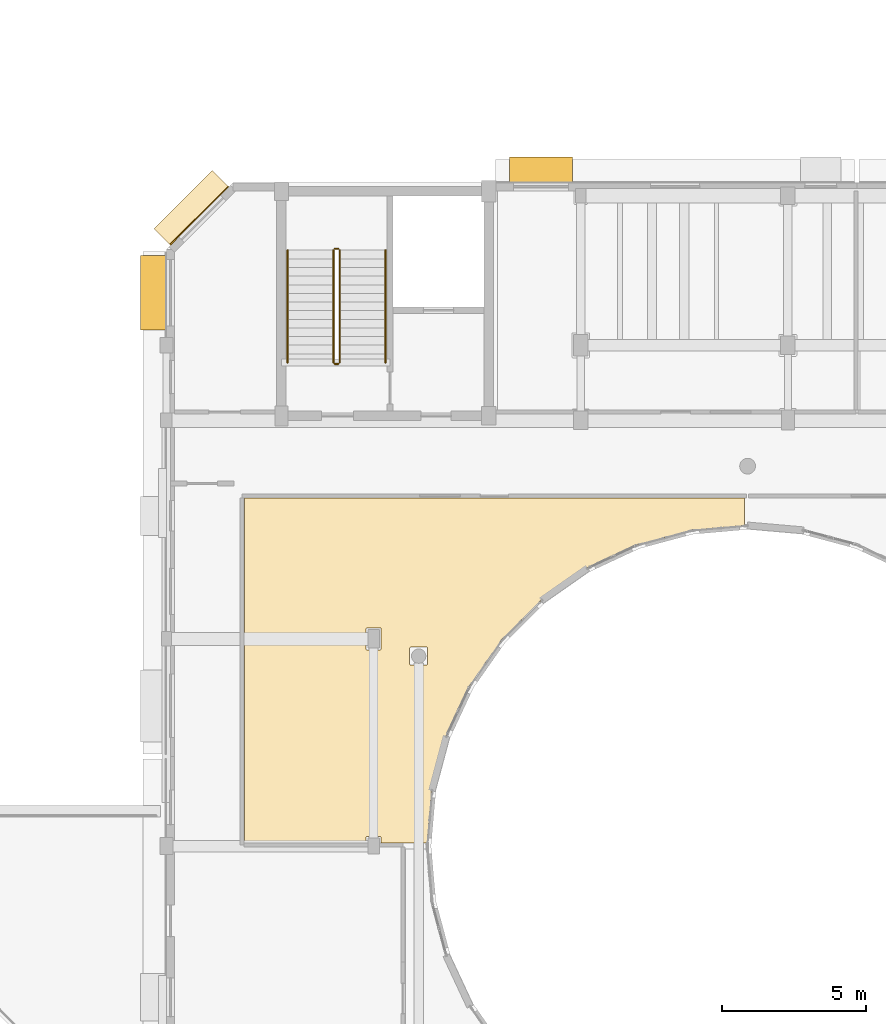
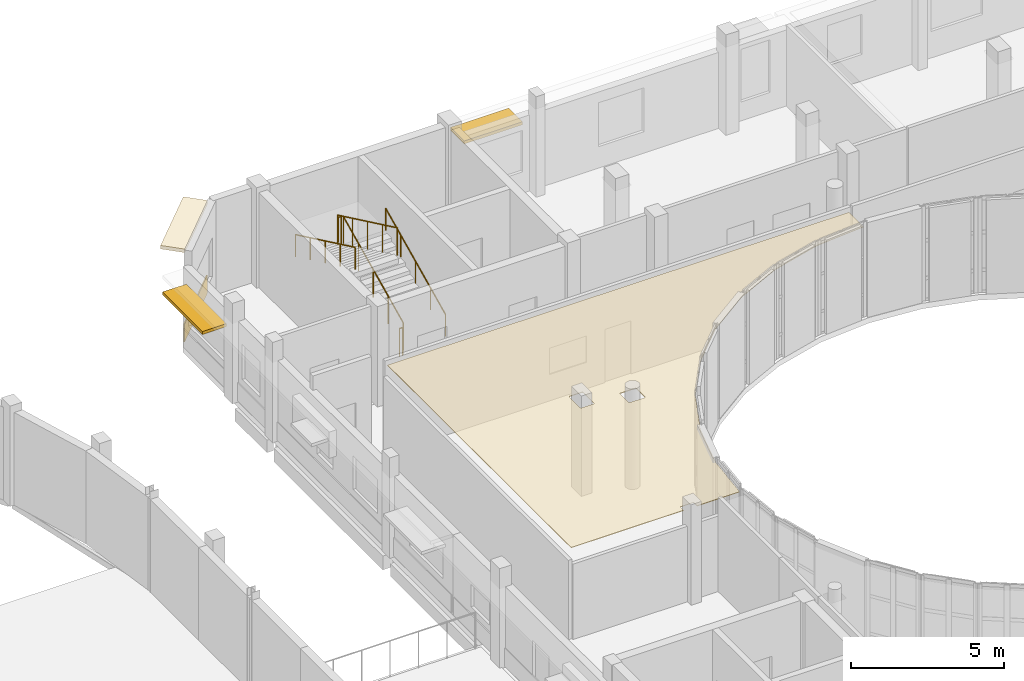
# One storey, part 78 of 89: 6 railings, 3 coverings, 2 shading devices.
"""IFC4 building model written with IfcOpenShell, lengths in metres."""

from ifc_helpers import new_model, si_unit, direction, frame, origin, origin_2d, place, context, subcontext, project, spatial, polyline, rectangle, circle, outline, extrude, material, layer, layer_set, type_object, element, save


model = new_model("IFC4")

# Units and contexts
model_context = context("Model", 3, precision=1e-05, world=origin(), true_north=direction((0.0, 1.0)))
body_context = subcontext(model_context, "Body", "Model", "MODEL_VIEW")
ifc_project = project(units=[si_unit("LENGTHUNIT", "METRE"), si_unit("AREAUNIT", "SQUARE_METRE"), si_unit("VOLUMEUNIT", "CUBIC_METRE"), si_unit("PLANEANGLEUNIT", "RADIAN"), si_unit("MASSUNIT", "GRAM", prefix="KILO")], contexts=[model_context])

# Site, building, storey
site_placement = place(None, origin())
site = spatial("IfcSite", under=ifc_project, at=site_placement, CompositionType="ELEMENT")
building_placement = place(site_placement, origin())
building = spatial("IfcBuilding", under=site, at=building_placement, Name="Kelanivale Promenade Academy", CompositionType="ELEMENT")
storey_placement = place(building_placement, frame((0.0, 0.0, 12.199951171875)))
storey = spatial("IfcBuildingStorey", under=building, at=storey_placement, Name="L03", CompositionType="ELEMENT", Elevation=12.199951171875)

# Coverings
ifc_material_1 = material(Name="Warm ivory Art Deco stucco frieze band 40 mm", Category="masonry")
ifc_layer_1 = layer(ifc_material_1, 0.0400390625)
ifc_layer_set_1 = layer_set([ifc_layer_1], Name="Warm ivory Art Deco stucco frieze band 40 mm")
covering_type_1 = type_object("IfcCoveringType", Name="COV-CLD2 Warm ivory Art Deco stucco frieze ba", PredefinedType="CLADDING", material=ifc_layer_set_1)
covering_1_placement = place(storey_placement, frame((44.072021484375, 78.97802734375, 3.6201171875), z_axis=(0.0, 0.0, 1.0), x_axis=(-0.707106781187, -0.707106781187, 0.0)))
element("IfcCovering", 1, at=covering_1_placement, inside=storey, type_object=covering_type_1, Name="Art Deco projecting 820 mm streamline sunshade eyebrow ledge", PredefinedType="CLADDING", context=body_context, shape_type="SweptSolid", body=[
    extrude(rectangle(XDim=2.865966796875, YDim=0.820068359375, at=origin_2d()), origin(), (0.0, 0.0, 1.0), 0.139892578125),
])
covering_2_placement = place(storey_placement, frame((44.343994140625, 78.7060546875, 0.06005859375), z_axis=(0.0, 0.0, 1.0), x_axis=(-0.707106781187, -0.707106781187, 0.0)))
element("IfcCovering", 2, at=covering_2_placement, inside=storey, type_object=covering_type_1, Name="Art Deco ivory stucco sill frieze band", PredefinedType="CLADDING", context=body_context, shape_type="SweptSolid", body=[
    extrude(rectangle(XDim=2.865966796875, YDim=0.0400390625, at=origin_2d()), origin(), (0.0, 0.0, 1.0), 0.719970703125),
])
ifc_material_2 = material(Name="Acoustic mineral-fibre ceiling tile 25 mm", Category="gypsum")
ifc_layer_2 = layer(ifc_material_2, 0.02490234375)
ifc_layer_set_2 = layer_set([ifc_layer_2], Name="Acoustic mineral-fibre ceiling tile 25 mm")
covering_type_2 = type_object("IfcCoveringType", Name="COV-CLG1 Acoustic mineral-fibre ceiling tile ", PredefinedType="CEILING", material=ifc_layer_set_2)
covering_3_placement = place(storey_placement, frame((0.0, 0.0, 3.550048828125)))
element("IfcCovering", 3, at=covering_3_placement, inside=storey, type_object=covering_type_2, Name="Secondary Classroom West B acoustic suspended ceiling", PredefinedType="CEILING", context=body_context, shape_type="SweptSolid", body=[
    extrude(outline(polyline([(61.455078125, 67.779052734375), (61.4619140625, 67.780029296875), (61.469970703125, 67.781982421875), (61.47998046875, 67.782958984375), (61.48095703125, 67.782958984375), (63.2900390625, 67.94091796875), (63.2900390625, 68.889892578125), (45.909912109375, 68.889892578125), (45.909912109375, 56.909912109375), (50.139892578125, 56.909912109375), (50.139892578125, 57.094970703125), (50.139892578125, 57.09912109375), (50.14111328125, 57.10302734375), (50.14208984375, 57.10693359375), (50.14306640625, 57.110107421875), (50.14501953125, 57.114013671875), (50.14697265625, 57.116943359375), (50.14892578125, 57.1201171875), (50.152099609375, 57.123046875), (50.155029296875, 57.1259765625), (50.157958984375, 57.1279296875), (50.160888671875, 57.1298828125), (50.1650390625, 57.132080078125), (50.16796875, 57.133056640625), (50.172119140625, 57.134033203125), (50.176025390625, 57.135009765625), (50.179931640625, 57.135009765625), (50.6201171875, 57.135009765625), (50.6240234375, 57.135009765625), (50.6279296875, 57.134033203125), (50.632080078125, 57.133056640625), (50.635009765625, 57.132080078125), (50.638916015625, 57.1298828125), (50.64208984375, 57.1279296875), (50.64501953125, 57.1259765625), (50.64794921875, 57.123046875), (50.65087890625, 57.1201171875), (50.653076171875, 57.116943359375), (50.655029296875, 57.114013671875), (50.656982421875, 57.110107421875), (50.657958984375, 57.10693359375), (50.658935546875, 57.10302734375), (50.659912109375, 57.09912109375), (50.659912109375, 57.094970703125), (50.659912109375, 56.909912109375), (52.259033203125, 56.909912109375), (52.4169921875, 58.718994140625), (52.4169921875, 58.719970703125), (52.41796875, 58.72998046875), (52.419921875, 58.738037109375), (52.4208984375, 58.7451171875), (52.424072265625, 58.75390625), (52.9169921875, 60.596923828125), (52.9169921875, 60.59912109375), (52.919921875, 60.60888671875), (52.923095703125, 60.615966796875), (52.927001953125, 60.6259765625), (52.928955078125, 60.6298828125), (53.737060546875, 62.360107421875), (53.739013671875, 62.364990234375), (53.7490234375, 62.383056640625), (53.7529296875, 62.389892578125), (54.847900390625, 63.9541015625), (54.85400390625, 63.9609375), (54.861083984375, 63.968994140625), (54.867919921875, 63.97705078125), (54.87109375, 63.98095703125), (56.218994140625, 65.3291015625), (56.222900390625, 65.33203125), (56.23095703125, 65.339111328125), (56.239013671875, 65.345947265625), (56.24609375, 65.35205078125), (57.81005859375, 66.447021484375), (57.81689453125, 66.450927734375), (57.825927734375, 66.4560546875), (57.8349609375, 66.4609375), (57.840087890625, 66.462890625), (59.570068359375, 67.27099609375), (59.573974609375, 67.27294921875), (59.583984375, 67.277099609375), (59.591064453125, 67.280029296875), (59.60107421875, 67.282958984375), (59.60302734375, 67.282958984375), (61.446044921875, 67.77587890625), (61.455078125, 67.779052734375)]), holes=[polyline([(52.278076171875, 63.1298828125), (52.278076171875, 63.1259765625), (52.277099609375, 63.1220703125), (52.27587890625, 63.117919921875), (52.27490234375, 63.114990234375), (52.27294921875, 63.111083984375), (52.27099609375, 63.10791015625), (52.26904296875, 63.10498046875), (52.26611328125, 63.10205078125), (52.262939453125, 63.09912109375), (52.260009765625, 63.096923828125), (52.257080078125, 63.094970703125), (52.2529296875, 63.093017578125), (52.25, 63.092041015625), (52.24609375, 63.091064453125), (52.241943359375, 63.090087890625), (52.238037109375, 63.090087890625), (51.697998046875, 63.090087890625), (51.694091796875, 63.090087890625), (51.68994140625, 63.091064453125), (51.68603515625, 63.092041015625), (51.68310546875, 63.093017578125), (51.678955078125, 63.094970703125), (51.676025390625, 63.096923828125), (51.673095703125, 63.09912109375), (51.669921875, 63.10205078125), (51.6669921875, 63.10498046875), (51.6650390625, 63.10791015625), (51.6630859375, 63.111083984375), (51.660888671875, 63.114990234375), (51.659912109375, 63.117919921875), (51.658935546875, 63.1220703125), (51.657958984375, 63.1259765625), (51.657958984375, 63.1298828125), (51.657958984375, 63.669921875), (51.657958984375, 63.674072265625), (51.658935546875, 63.677978515625), (51.659912109375, 63.681884765625), (51.660888671875, 63.68505859375), (51.6630859375, 63.68896484375), (51.6650390625, 63.69189453125), (51.6669921875, 63.695068359375), (51.669921875, 63.697998046875), (51.673095703125, 63.700927734375), (51.676025390625, 63.702880859375), (51.678955078125, 63.705078125), (51.68310546875, 63.70703125), (51.68603515625, 63.7080078125), (51.68994140625, 63.708984375), (51.694091796875, 63.7099609375), (51.697998046875, 63.7099609375), (52.238037109375, 63.7099609375), (52.241943359375, 63.7099609375), (52.24609375, 63.708984375), (52.25, 63.7080078125), (52.2529296875, 63.70703125), (52.257080078125, 63.705078125), (52.260009765625, 63.702880859375), (52.262939453125, 63.700927734375), (52.26611328125, 63.697998046875), (52.26904296875, 63.695068359375), (52.27099609375, 63.69189453125), (52.27294921875, 63.68896484375), (52.27490234375, 63.68505859375), (52.27587890625, 63.681884765625), (52.277099609375, 63.677978515625), (52.278076171875, 63.674072265625), (52.278076171875, 63.669921875), (52.278076171875, 63.1298828125)]), polyline([(50.6201171875, 64.385009765625), (50.6240234375, 64.385009765625), (50.6279296875, 64.384033203125), (50.632080078125, 64.383056640625), (50.635009765625, 64.382080078125), (50.638916015625, 64.3798828125), (50.64208984375, 64.3779296875), (50.64501953125, 64.3759765625), (50.64794921875, 64.373046875), (50.65087890625, 64.3701171875), (50.653076171875, 64.366943359375), (50.655029296875, 64.364013671875), (50.656982421875, 64.360107421875), (50.657958984375, 64.35693359375), (50.658935546875, 64.35302734375), (50.659912109375, 64.34912109375), (50.659912109375, 64.344970703125), (50.659912109375, 63.655029296875), (50.659912109375, 63.65087890625), (50.658935546875, 63.64697265625), (50.657958984375, 63.64306640625), (50.656982421875, 63.639892578125), (50.655029296875, 63.635986328125), (50.653076171875, 63.633056640625), (50.65087890625, 63.6298828125), (50.64794921875, 63.626953125), (50.64501953125, 63.6240234375), (50.64208984375, 63.6220703125), (50.638916015625, 63.6201171875), (50.635009765625, 63.617919921875), (50.632080078125, 63.616943359375), (50.6279296875, 63.615966796875), (50.6240234375, 63.614990234375), (50.6201171875, 63.614990234375), (50.179931640625, 63.614990234375), (50.176025390625, 63.614990234375), (50.172119140625, 63.615966796875), (50.16796875, 63.616943359375), (50.1650390625, 63.617919921875), (50.160888671875, 63.6201171875), (50.157958984375, 63.6220703125), (50.155029296875, 63.6240234375), (50.152099609375, 63.626953125), (50.14892578125, 63.6298828125), (50.14697265625, 63.633056640625), (50.14501953125, 63.635986328125), (50.14306640625, 63.639892578125), (50.14208984375, 63.64306640625), (50.14111328125, 63.64697265625), (50.139892578125, 63.65087890625), (50.139892578125, 63.655029296875), (50.139892578125, 64.344970703125), (50.139892578125, 64.34912109375), (50.14111328125, 64.35302734375), (50.14208984375, 64.35693359375), (50.14306640625, 64.360107421875), (50.14501953125, 64.364013671875), (50.14697265625, 64.366943359375), (50.14892578125, 64.3701171875), (50.152099609375, 64.373046875), (50.155029296875, 64.3759765625), (50.157958984375, 64.3779296875), (50.160888671875, 64.3798828125), (50.1650390625, 64.382080078125), (50.16796875, 64.383056640625), (50.172119140625, 64.384033203125), (50.176025390625, 64.385009765625), (50.179931640625, 64.385009765625), (50.6201171875, 64.385009765625)])]), origin(), (0.0, 0.0, 1.0), 0.02490234375),
])

# Railings
ifc_material_3 = material(Name="Brushed stainless steel grade 316", Category="steel")
railing_type_1 = type_object("IfcRailingType", Name="GR-01 Stair Guard 1100mm", PredefinedType="BALUSTRADE", material=ifc_material_3)
railing_1_placement = place(storey_placement, frame((49.22509765625, 73.60498046875, 0.142822265625)))
element("IfcRailing", 4, at=railing_1_placement, inside=storey, type_object=railing_type_1, Name="L03 ST-04 stair guard 1", PredefinedType="BALUSTRADE", context=body_context, shape_type="SweptSolid", body=[
    extrude(circle(Radius=0.02392578125, at=origin_2d()), frame((0.0, 0.0, 1.09619140625), z_axis=(0.0, 0.902853205547, 0.429948937937), x_axis=(-1.0, 0.0, 0.0)), (0.0, 0.0, 1.0), 4.319580078125),
    extrude(circle(Radius=0.02099609375, at=origin_2d()), origin(), (0.0, 0.0, 1.0), 1.072021484375),
    extrude(circle(Radius=0.02099609375, at=origin_2d()), frame((0.0, 0.97509765625, 0.46435546875)), (0.0, 0.0, 1.0), 1.072021484375),
    extrude(circle(Radius=0.02099609375, at=origin_2d()), frame((0.0, 1.949951171875, 0.9287109375)), (0.0, 0.0, 1.0), 1.072021484375),
    extrude(circle(Radius=0.02099609375, at=origin_2d()), frame((0.0, 2.9248046875, 1.392822265625)), (0.0, 0.0, 1.0), 1.072021484375),
    extrude(circle(Radius=0.02099609375, at=origin_2d()), frame((0.0, 3.89990234375, 1.857177734375)), (0.0, 0.0, 1.0), 1.072021484375),
])
railing_2_placement = place(storey_placement, frame((49.175048828125, 77.554931640625, 2.0)))
element("IfcRailing", 5, at=railing_2_placement, inside=storey, type_object=railing_type_1, Name="L03 ST-04 stair guard 2", PredefinedType="BALUSTRADE", context=body_context, shape_type="SweptSolid", body=[
    extrude(circle(Radius=0.02392578125, at=origin_2d()), frame((0.0, 0.0, 1.09619140625), z_axis=(-1.0, 0.0, 0.0), x_axis=(0.0, -1.0, 0.0)), (0.0, 0.0, 1.0), 0.1201171875),
    extrude(circle(Radius=0.02099609375, at=origin_2d()), origin(), (0.0, 0.0, 1.0), 1.072021484375),
    extrude(circle(Radius=0.02099609375, at=origin_2d()), frame((-0.1201171875, 0.0, 0.0)), (0.0, 0.0, 1.0), 1.072021484375),
])
railing_3_placement = place(storey_placement, frame((49.0048828125, 77.5048828125, 2.142822265625)))
element("IfcRailing", 6, at=railing_3_placement, inside=storey, type_object=railing_type_1, Name="L03 ST-04 stair guard 3", PredefinedType="BALUSTRADE", context=body_context, shape_type="SweptSolid", body=[
    extrude(circle(Radius=0.02392578125, at=origin_2d()), frame((0.0, 0.0, 1.09619140625), z_axis=(0.0, -0.902853205547, 0.429948937937), x_axis=(1.0, 0.0, 0.0)), (0.0, 0.0, 1.0), 4.319580078125),
    extrude(circle(Radius=0.02099609375, at=origin_2d()), origin(), (0.0, 0.0, 1.0), 1.072021484375),
    extrude(circle(Radius=0.02099609375, at=origin_2d()), frame((0.0, -0.97509765625, 0.46435546875)), (0.0, 0.0, 1.0), 1.072021484375),
    extrude(circle(Radius=0.02099609375, at=origin_2d()), frame((0.0, -1.949951171875, 0.9287109375)), (0.0, 0.0, 1.0), 1.072021484375),
    extrude(circle(Radius=0.02099609375, at=origin_2d()), frame((0.0, -2.9248046875, 1.392822265625)), (0.0, 0.0, 1.0), 1.072021484375),
    extrude(circle(Radius=0.02099609375, at=origin_2d()), frame((0.0, -3.89990234375, 1.857177734375)), (0.0, 0.0, 1.0), 1.072021484375),
])
railing_4_placement = place(storey_placement, frame((49.175048828125, 73.554931640625, 0.0)))
element("IfcRailing", 7, at=railing_4_placement, inside=storey, type_object=railing_type_1, Name="L03 ST-04 stair guard 4", PredefinedType="BALUSTRADE", context=body_context, shape_type="SweptSolid", body=[
    extrude(circle(Radius=0.02392578125, at=origin_2d()), frame((0.0, 0.0, 1.09619140625), z_axis=(-1.0, 0.0, 0.0), x_axis=(0.0, -1.0, 0.0)), (0.0, 0.0, 1.0), 0.1201171875),
    extrude(circle(Radius=0.02099609375, at=origin_2d()), origin(), (0.0, 0.0, 1.0), 1.072021484375),
    extrude(circle(Radius=0.02099609375, at=origin_2d()), frame((-0.1201171875, 0.0, 0.0)), (0.0, 0.0, 1.0), 1.072021484375),
])
railing_type_2 = type_object("IfcRailingType", Name="HR-01 Pitch Handrail 900mm", PredefinedType="HANDRAIL", material=ifc_material_3)
railing_5_placement = place(storey_placement, frame((50.81494140625, 73.60498046875, 0.142822265625)))
element("IfcRailing", 8, at=railing_5_placement, inside=storey, type_object=railing_type_2, Name="L03 ST-04 stair handrail 1", PredefinedType="HANDRAIL", context=body_context, shape_type="SweptSolid", body=[
    extrude(circle(Radius=0.02392578125, at=origin_2d()), frame((0.0, 0.0, 0.8759765625), z_axis=(0.0, 0.902853205547, 0.429948937937), x_axis=(-1.0, 0.0, 0.0)), (0.0, 0.0, 1.0), 4.319580078125),
    extrude(circle(Radius=0.02099609375, at=origin_2d()), origin(), (0.0, 0.0, 1.0), 0.851806640625),
    extrude(circle(Radius=0.02099609375, at=origin_2d()), frame((0.0, 0.97509765625, 0.46435546875)), (0.0, 0.0, 1.0), 0.851806640625),
    extrude(circle(Radius=0.02099609375, at=origin_2d()), frame((0.0, 1.949951171875, 0.9287109375)), (0.0, 0.0, 1.0), 0.851806640625),
    extrude(circle(Radius=0.02099609375, at=origin_2d()), frame((0.0, 2.9248046875, 1.392822265625)), (0.0, 0.0, 1.0), 0.851806640625),
    extrude(circle(Radius=0.02099609375, at=origin_2d()), frame((0.0, 3.89990234375, 1.857177734375)), (0.0, 0.0, 1.0), 0.851806640625),
])
railing_6_placement = place(storey_placement, frame((47.4150390625, 77.5048828125, 2.142822265625)))
element("IfcRailing", 9, at=railing_6_placement, inside=storey, type_object=railing_type_2, Name="L03 ST-04 stair handrail 2", PredefinedType="HANDRAIL", context=body_context, shape_type="SweptSolid", body=[
    extrude(circle(Radius=0.02392578125, at=origin_2d()), frame((0.0, 0.0, 0.8759765625), z_axis=(0.0, -0.902853205547, 0.429948937937), x_axis=(1.0, 0.0, 0.0)), (0.0, 0.0, 1.0), 4.319580078125),
    extrude(circle(Radius=0.02099609375, at=origin_2d()), origin(), (0.0, 0.0, 1.0), 0.851806640625),
    extrude(circle(Radius=0.02099609375, at=origin_2d()), frame((0.0, -0.97509765625, 0.46435546875)), (0.0, 0.0, 1.0), 0.851806640625),
    extrude(circle(Radius=0.02099609375, at=origin_2d()), frame((0.0, -1.949951171875, 0.9287109375)), (0.0, 0.0, 1.0), 0.851806640625),
    extrude(circle(Radius=0.02099609375, at=origin_2d()), frame((0.0, -2.9248046875, 1.392822265625)), (0.0, 0.0, 1.0), 0.851806640625),
    extrude(circle(Radius=0.02099609375, at=origin_2d()), frame((0.0, -3.89990234375, 1.857177734375)), (0.0, 0.0, 1.0), 0.851806640625),
])

# Shading devices
ifc_material_4 = material(Name="Precast concrete C40/50", Category="concrete")
ifc_layer_3 = layer(ifc_material_4, 0.1201171875)
ifc_layer_set_3 = layer_set([ifc_layer_3], Name="Precast concrete C40/50")
shading_device_type = type_object("IfcShadingDeviceType", Name="SHD-01 Art Deco Sunshade Eyebrow 900mm", PredefinedType="USERDEFINED", material=ifc_layer_set_3)
shading_device_1_placement = place(storey_placement, frame((56.220947265625, 80.2900390625, 2.510009765625), z_axis=(0.0, 0.0, 1.0), x_axis=(-1.0, 0.0, 0.0)))
element("IfcShadingDevice", 10, at=shading_device_1_placement, inside=storey, type_object=shading_device_type, Name="Art Deco 900 mm precast chajja window sunshade", ObjectType="SUNSHADE", PredefinedType="USERDEFINED", context=body_context, shape_type="SweptSolid", body=[
    extrude(rectangle(XDim=2.199951171875, YDim=0.89990234375, at=origin_2d()), origin(), (0.0, 0.0, 1.0), 0.1201171875),
])
shading_device_2_placement = place(storey_placement, frame((42.760009765625, 76.028076171875, 2.510009765625), z_axis=(0.0, 0.0, 1.0), x_axis=(0.0, -1.0, 0.0)))
element("IfcShadingDevice", 11, at=shading_device_2_placement, inside=storey, type_object=shading_device_type, Name="Art Deco 900 mm precast chajja window sunshade", ObjectType="SUNSHADE", PredefinedType="USERDEFINED", context=body_context, shape_type="SweptSolid", body=[
    extrude(rectangle(XDim=2.60009765625, YDim=0.89990234375, at=origin_2d()), origin(), (0.0, 0.0, 1.0), 0.1201171875),
])

save(model, "model.ifc")
